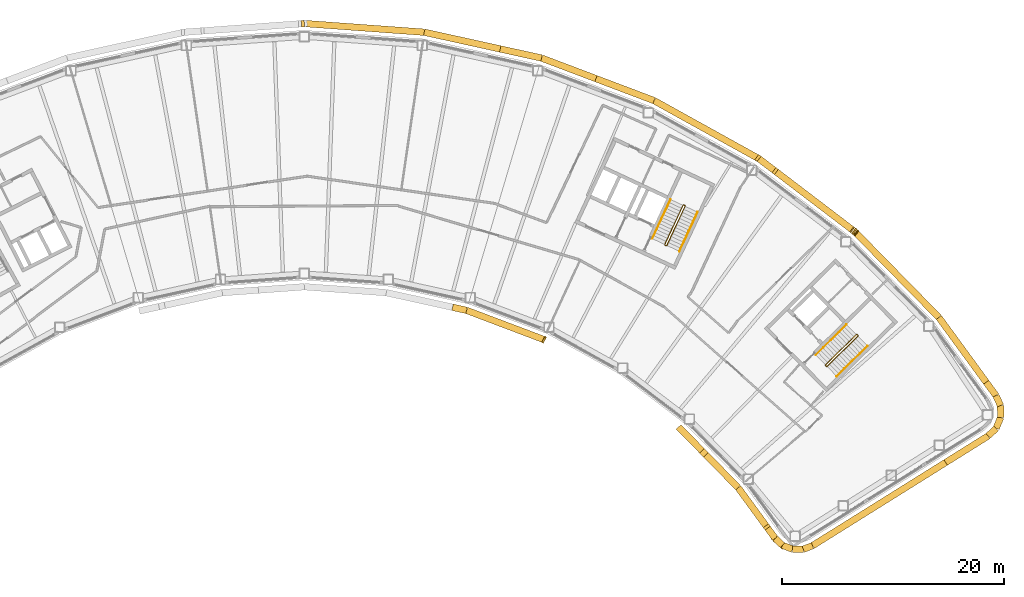
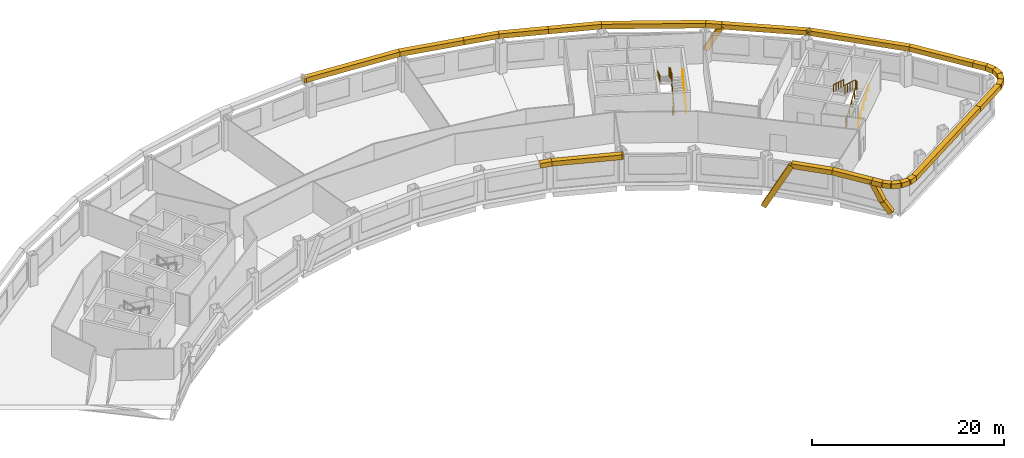
# One storey, part 12 of 12: 35 coverings, 6 railings.
"""IFC4 building model written with IfcOpenShell, lengths in metres."""

from ifc_helpers import new_model, si_unit, direction, frame, origin, origin_2d, place, context, subcontext, project, spatial, rectangle, circle, extrude, material, material_profile, profile_set, type_object, element, save


model = new_model("IFC4")

# Units and contexts
model_context = context("Model", 3, precision=1e-05, world=origin(), true_north=direction((0.0, 1.0)))
body_context = subcontext(model_context, "Body", "Model", "MODEL_VIEW")
ifc_project = project(units=[si_unit("LENGTHUNIT", "METRE"), si_unit("AREAUNIT", "SQUARE_METRE"), si_unit("VOLUMEUNIT", "CUBIC_METRE"), si_unit("PLANEANGLEUNIT", "RADIAN"), si_unit("MASSUNIT", "GRAM", prefix="KILO")], contexts=[model_context])

# Site, building, storey
site_placement = place(None, origin())
site = spatial("IfcSite", under=ifc_project, at=site_placement, CompositionType="ELEMENT")
building_placement = place(site_placement, origin())
building = spatial("IfcBuilding", under=site, at=building_placement, Name="Tuul Gate Civic Tower", CompositionType="ELEMENT")
storey_placement = place(building_placement, frame((0.0, 0.0, 176.300048828125)))
storey = spatial("IfcBuildingStorey", under=building, at=storey_placement, Name="Level 40", CompositionType="ELEMENT", Elevation=176.300048828125)

# Railings
ifc_material_1 = material(Name="Painted steel", Category="steel")
railing_type_1 = type_object("IfcRailingType", Name="Stair guard", PredefinedType="GUARDRAIL", material=ifc_material_1)
railing_1_placement = place(storey_placement, frame((48.10546875, -16.134765625, 0.0)))
element("IfcRailing", 1, at=railing_1_placement, inside=storey, type_object=railing_type_1, Name="Level 40 ST-3 stair guard 1", PredefinedType="GUARDRAIL", context=body_context, shape_type="SweptSolid", body=[
    extrude(circle(Radius=0.02392578125, at=origin_2d()), frame((0.0, 0.0, 1.076171875), z_axis=(-0.698506948293, 0.715603272202, 0.0), x_axis=(-0.715603272202, -0.698506948293, 0.0)), (0.0, 0.0, 1.0), 0.099853515625),
    extrude(circle(Radius=0.02392578125, at=origin_2d()), frame((-0.06982421875, 0.071533203125, 1.076171875), z_axis=(0.645446321009, -0.331687692741, 0.688027849131), x_axis=(0.457068866502, 0.889431307788, 0.0)), (0.0, 0.0, 1.0), 0.2177734375),
    extrude(circle(Radius=0.02392578125, at=origin_2d()), frame((0.07080078125, -0.000732421875, 1.22607421875), z_axis=(0.638731261263, 0.626133563701, 0.447190268558), x_axis=(-0.700029477518, 0.714113947914, 0.0)), (0.0, 0.0, 1.0), 4.3603515625),
    extrude(circle(Radius=0.02392578125, at=origin_2d()), frame((2.85595703125, 2.7294921875, 3.17578125), z_axis=(0.010380063588, 0.999946125689, 0.0), x_axis=(-0.999946125689, 0.010380063588, 0.0)), (0.0, 0.0, 1.0), 0.070556640625),
    extrude(circle(Radius=0.02392578125, at=origin_2d()), frame((2.856689453125, 2.800048828125, 3.17578125), z_axis=(-0.699754442181, 0.714383454909, 0.0), x_axis=(-0.714383454909, -0.699754442181, 0.0)), (0.0, 0.0, 1.0), 0.10009765625),
    extrude(circle(Radius=0.02392578125, at=origin_2d()), frame((2.78662109375, 2.87158203125, 3.17578125), z_axis=(-0.426501027327, 0.004412079593, 0.904476316574), x_axis=(-0.010344274102, -0.999946496565, 0.0)), (0.0, 0.0, 1.0), 0.166015625),
    extrude(circle(Radius=0.02392578125, at=origin_2d()), frame((2.7158203125, 2.872314453125, 3.326171875), z_axis=(-0.638731261263, -0.626133563701, 0.447190268558), x_axis=(0.700029477518, -0.714113947914, 0.0)), (0.0, 0.0, 1.0), 4.3603515625),
    extrude(circle(Radius=0.02099609375, at=origin_2d()), origin(), (0.0, 0.0, 1.0), 1.052001953125),
    extrude(circle(Radius=0.02099609375, at=origin_2d()), frame((-0.06982421875, 0.071533203125, 0.0)), (0.0, 0.0, 1.0), 1.052001953125),
    extrude(circle(Radius=0.02099609375, at=origin_2d()), frame((0.07080078125, -0.000732421875, 0.14990234375)), (0.0, 0.0, 1.0), 1.052001953125),
    extrude(circle(Radius=0.02099609375, at=origin_2d()), frame((0.76708984375, 0.681884765625, 0.637451171875)), (0.0, 0.0, 1.0), 1.052001953125),
    extrude(circle(Radius=0.02099609375, at=origin_2d()), frame((1.46337890625, 1.3642578125, 1.125)), (0.0, 0.0, 1.0), 1.052001953125),
    extrude(circle(Radius=0.02099609375, at=origin_2d()), frame((2.15966796875, 2.046875, 1.6123046875)), (0.0, 0.0, 1.0), 1.052001953125),
    extrude(circle(Radius=0.02099609375, at=origin_2d()), frame((2.85595703125, 2.7294921875, 2.099853515625)), (0.0, 0.0, 1.0), 1.052001953125),
    extrude(circle(Radius=0.02099609375, at=origin_2d()), frame((2.856689453125, 2.800048828125, 2.099853515625)), (0.0, 0.0, 1.0), 1.052001953125),
    extrude(circle(Radius=0.02099609375, at=origin_2d()), frame((2.78662109375, 2.87158203125, 2.099853515625)), (0.0, 0.0, 1.0), 1.052001953125),
    extrude(circle(Radius=0.02099609375, at=origin_2d()), frame((2.7158203125, 2.872314453125, 2.25)), (0.0, 0.0, 1.0), 1.052001953125),
    extrude(circle(Radius=0.02099609375, at=origin_2d()), frame((2.01953125, 2.189697265625, 2.737548828125)), (0.0, 0.0, 1.0), 1.052001953125),
    extrude(circle(Radius=0.02099609375, at=origin_2d()), frame((1.3232421875, 1.50732421875, 3.22509765625)), (0.0, 0.0, 1.0), 1.052001953125),
    extrude(circle(Radius=0.02099609375, at=origin_2d()), frame((0.626953125, 0.82470703125, 3.71240234375)), (0.0, 0.0, 1.0), 1.052001953125),
    extrude(circle(Radius=0.02099609375, at=origin_2d()), frame((-0.0693359375, 0.14208984375, 4.199951171875)), (0.0, 0.0, 1.0), 1.052001953125),
])
railing_2_placement = place(storey_placement, frame((33.645751953125, -5.238525390625, 0.0)))
element("IfcRailing", 2, at=railing_2_placement, inside=storey, type_object=railing_type_1, Name="Level 40 ST-4 stair guard 1", PredefinedType="GUARDRAIL", context=body_context, shape_type="SweptSolid", body=[
    extrude(circle(Radius=0.02392578125, at=origin_2d()), frame((0.0, 0.0, 1.076171875), z_axis=(-0.906307919131, 0.422617978463, 0.0), x_axis=(-0.422617978463, -0.906307919131, 0.0)), (0.0, 0.0, 1.0), 0.099853515625),
    extrude(circle(Radius=0.02392578125, at=origin_2d()), frame((-0.090576171875, 0.042236328125, 1.076171875), z_axis=(0.720735628292, -0.082946246491, 0.688229666829), x_axis=(0.114330889033, 0.993442724979, 0.0)), (0.0, 0.0, 1.0), 0.2177734375),
    extrude(circle(Radius=0.02392578125, at=origin_2d()), frame((0.06640625, 0.024169921875, 1.22607421875), z_axis=(0.377946903738, 0.810654114417, 0.447209173356), x_axis=(-0.906336612539, 0.422556439746, 0.0)), (0.0, 0.0, 1.0), 4.3603515625),
    extrude(circle(Radius=0.02392578125, at=origin_2d()), frame((1.71435546875, 3.558837890625, 3.17578125), z_axis=(-0.342020437038, 0.939692513883, 0.0), x_axis=(-0.939692513883, -0.342020437038, 0.0)), (0.0, 0.0, 1.0), 0.070556640625),
    extrude(circle(Radius=0.02392578125, at=origin_2d()), frame((1.690185546875, 3.625244140625, 3.17578125), z_axis=(-0.906307919131, 0.422617978463, 0.0), x_axis=(-0.422617978463, -0.906307919131, 0.0)), (0.0, 0.0, 1.0), 0.099853515625),
    extrude(circle(Radius=0.02392578125, at=origin_2d()), frame((1.599609375, 3.66748046875, 3.17578125), z_axis=(-0.400168791901, -0.145649670582, 0.904793408159), x_axis=(0.342020437038, -0.939692513883, 0.0)), (0.0, 0.0, 1.0), 0.166015625),
    extrude(circle(Radius=0.02392578125, at=origin_2d()), frame((1.533203125, 3.643310546875, 3.326171875), z_axis=(-0.377946903738, -0.810654114417, 0.447209173356), x_axis=(0.906336612539, -0.422556439746, 0.0)), (0.0, 0.0, 1.0), 4.3603515625),
    extrude(circle(Radius=0.02099609375, at=origin_2d()), origin(), (0.0, 0.0, 1.0), 1.052001953125),
    extrude(circle(Radius=0.02099609375, at=origin_2d()), frame((-0.090576171875, 0.042236328125, 0.0)), (0.0, 0.0, 1.0), 1.052001953125),
    extrude(circle(Radius=0.02099609375, at=origin_2d()), frame((0.06640625, 0.024169921875, 0.14990234375)), (0.0, 0.0, 1.0), 1.052001953125),
    extrude(circle(Radius=0.02099609375, at=origin_2d()), frame((0.478515625, 0.90771484375, 0.637451171875)), (0.0, 0.0, 1.0), 1.052001953125),
    extrude(circle(Radius=0.02099609375, at=origin_2d()), frame((0.890380859375, 1.79150390625, 1.125)), (0.0, 0.0, 1.0), 1.052001953125),
    extrude(circle(Radius=0.02099609375, at=origin_2d()), frame((1.30224609375, 2.67529296875, 1.6123046875)), (0.0, 0.0, 1.0), 1.052001953125),
    extrude(circle(Radius=0.02099609375, at=origin_2d()), frame((1.71435546875, 3.558837890625, 2.099853515625)), (0.0, 0.0, 1.0), 1.052001953125),
    extrude(circle(Radius=0.02099609375, at=origin_2d()), frame((1.690185546875, 3.625244140625, 2.099853515625)), (0.0, 0.0, 1.0), 1.052001953125),
    extrude(circle(Radius=0.02099609375, at=origin_2d()), frame((1.599609375, 3.66748046875, 2.099853515625)), (0.0, 0.0, 1.0), 1.052001953125),
    extrude(circle(Radius=0.02099609375, at=origin_2d()), frame((1.533203125, 3.643310546875, 2.25)), (0.0, 0.0, 1.0), 1.052001953125),
    extrude(circle(Radius=0.02099609375, at=origin_2d()), frame((1.12109375, 2.759765625, 2.737548828125)), (0.0, 0.0, 1.0), 1.052001953125),
    extrude(circle(Radius=0.02099609375, at=origin_2d()), frame((0.709228515625, 1.8759765625, 3.22509765625)), (0.0, 0.0, 1.0), 1.052001953125),
    extrude(circle(Radius=0.02099609375, at=origin_2d()), frame((0.29736328125, 0.9921875, 3.71240234375)), (0.0, 0.0, 1.0), 1.052001953125),
    extrude(circle(Radius=0.02099609375, at=origin_2d()), frame((-0.11474609375, 0.108642578125, 4.199951171875)), (0.0, 0.0, 1.0), 1.052001953125),
])
ifc_material_2 = material(Name="Painted steel", Category="steel")
railing_type_2 = type_object("IfcRailingType", Name="Stair handrail", PredefinedType="HANDRAIL", material=ifc_material_2)
railing_3_placement = place(storey_placement, frame((49.05126953125, -17.028076171875, 0.14990234375)))
element("IfcRailing", 3, at=railing_3_placement, inside=storey, type_object=railing_type_2, Name="Level 40 ST-3 stair handrail 1", PredefinedType="HANDRAIL", context=body_context, shape_type="SweptSolid", body=[
    extrude(circle(Radius=0.02392578125, at=origin_2d()), frame((0.0, 0.0, 0.8759765625), z_axis=(0.638753653487, 0.626099522554, 0.447205945863), x_axis=(-0.699997553204, 0.714145241186, 0.0)), (0.0, 0.0, 1.0), 4.3603515625),
    extrude(circle(Radius=0.02099609375, at=origin_2d()), origin(), (0.0, 0.0, 1.0), 0.851806640625),
    extrude(circle(Radius=0.02099609375, at=origin_2d()), frame((0.6962890625, 0.6826171875, 0.487548828125)), (0.0, 0.0, 1.0), 0.851806640625),
    extrude(circle(Radius=0.02099609375, at=origin_2d()), frame((1.392578125, 1.364990234375, 0.97509765625)), (0.0, 0.0, 1.0), 0.851806640625),
    extrude(circle(Radius=0.02099609375, at=origin_2d()), frame((2.0888671875, 2.04736328125, 1.46240234375)), (0.0, 0.0, 1.0), 0.851806640625),
    extrude(circle(Radius=0.02099609375, at=origin_2d()), frame((2.78515625, 2.72998046875, 1.949951171875)), (0.0, 0.0, 1.0), 0.851806640625),
])
railing_4_placement = place(storey_placement, frame((49.9462890625, -12.369873046875, 2.25)))
element("IfcRailing", 4, at=railing_4_placement, inside=storey, type_object=railing_type_2, Name="Level 40 ST-3 stair handrail 2", PredefinedType="HANDRAIL", context=body_context, shape_type="SweptSolid", body=[
    extrude(circle(Radius=0.02392578125, at=origin_2d()), frame((0.0, 0.0, 0.8759765625), z_axis=(-0.638753653487, -0.626099522554, 0.447205945863), x_axis=(0.699997553204, -0.714145241186, 0.0)), (0.0, 0.0, 1.0), 4.3603515625),
    extrude(circle(Radius=0.02099609375, at=origin_2d()), origin(), (0.0, 0.0, 1.0), 0.851806640625),
    extrude(circle(Radius=0.02099609375, at=origin_2d()), frame((-0.6962890625, -0.6826171875, 0.487548828125)), (0.0, 0.0, 1.0), 0.851806640625),
    extrude(circle(Radius=0.02099609375, at=origin_2d()), frame((-1.392578125, -1.364990234375, 0.97509765625)), (0.0, 0.0, 1.0), 0.851806640625),
    extrude(circle(Radius=0.02099609375, at=origin_2d()), frame((-2.0888671875, -2.04736328125, 1.46240234375)), (0.0, 0.0, 1.0), 0.851806640625),
    extrude(circle(Radius=0.02099609375, at=origin_2d()), frame((-2.78515625, -2.72998046875, 1.949951171875)), (0.0, 0.0, 1.0), 0.851806640625),
])
railing_5_placement = place(storey_placement, frame((34.844970703125, -5.74267578125, 0.14990234375)))
element("IfcRailing", 5, at=railing_5_placement, inside=storey, type_object=railing_type_2, Name="Level 40 ST-4 stair handrail 1", PredefinedType="HANDRAIL", context=body_context, shape_type="SweptSolid", body=[
    extrude(circle(Radius=0.02392578125, at=origin_2d()), frame((0.0, 0.0, 0.8759765625), z_axis=(0.377994896215, 0.810636958585, 0.447199709091), x_axis=(-0.906312636903, 0.422607861012, 0.0)), (0.0, 0.0, 1.0), 4.3603515625),
    extrude(circle(Radius=0.02099609375, at=origin_2d()), origin(), (0.0, 0.0, 1.0), 0.851806640625),
    extrude(circle(Radius=0.02099609375, at=origin_2d()), frame((0.412109375, 0.8837890625, 0.487548828125)), (0.0, 0.0, 1.0), 0.851806640625),
    extrude(circle(Radius=0.02099609375, at=origin_2d()), frame((0.82421875, 1.767333984375, 0.97509765625)), (0.0, 0.0, 1.0), 0.851806640625),
    extrude(circle(Radius=0.02099609375, at=origin_2d()), frame((1.236083984375, 2.65087890625, 1.46240234375)), (0.0, 0.0, 1.0), 0.851806640625),
    extrude(circle(Radius=0.02099609375, at=origin_2d()), frame((1.648193359375, 3.53466796875, 1.949951171875)), (0.0, 0.0, 1.0), 0.851806640625),
])
railing_6_placement = place(storey_placement, frame((34.046142578125, -1.06689453125, 2.25)))
element("IfcRailing", 6, at=railing_6_placement, inside=storey, type_object=railing_type_2, Name="Level 40 ST-4 stair handrail 2", PredefinedType="HANDRAIL", context=body_context, shape_type="SweptSolid", body=[
    extrude(circle(Radius=0.02392578125, at=origin_2d()), frame((0.0, 0.0, 0.8759765625), z_axis=(-0.377994896215, -0.810636958585, 0.447199709091), x_axis=(0.906312636903, -0.422607861012, 0.0)), (0.0, 0.0, 1.0), 4.3603515625),
    extrude(circle(Radius=0.02099609375, at=origin_2d()), origin(), (0.0, 0.0, 1.0), 0.851806640625),
    extrude(circle(Radius=0.02099609375, at=origin_2d()), frame((-0.412109375, -0.8837890625, 0.487548828125)), (0.0, 0.0, 1.0), 0.851806640625),
    extrude(circle(Radius=0.02099609375, at=origin_2d()), frame((-0.82421875, -1.767333984375, 0.97509765625)), (0.0, 0.0, 1.0), 0.851806640625),
    extrude(circle(Radius=0.02099609375, at=origin_2d()), frame((-1.236083984375, -2.65087890625, 1.46240234375)), (0.0, 0.0, 1.0), 0.851806640625),
    extrude(circle(Radius=0.02099609375, at=origin_2d()), frame((-1.648193359375, -3.53466796875, 1.949951171875)), (0.0, 0.0, 1.0), 0.851806640625),
])

# Coverings
ifc_material_3 = material(Name="Terracotta baguette", Category="masonry")
ifc_material_profile = material_profile(ifc_material_3, rectangle(XDim=0.60009765625, YDim=0.60009765625, at=origin_2d()), Name="Terracotta baguette screen frame")
ifc_profile_set = profile_set([ifc_material_profile], Name="Terracotta baguette")
covering_type = type_object("IfcCoveringType", Name="Terracotta baguette screen frame", PredefinedType="CLADDING", material=ifc_profile_set)
covering_1_placement = place(storey_placement, frame((58.89111328125, -24.809814453125, 3.849853515625), z_axis=(0.848058898511, 0.529901976461, 0.0), x_axis=(-0.529901976461, 0.848058898511, 0.0)))
element("IfcCovering", 7, at=covering_1_placement, inside=storey, type_object=covering_type, Name="Baguette 4", PredefinedType="CLADDING", context=body_context, shape_type="SweptSolid", body=[
    extrude(rectangle(XDim=0.60009765625, YDim=0.60009765625, at=origin_2d()), origin(), (0.0, 0.0, 1.0), 4.526611328125),
])
covering_2_placement = place(storey_placement, frame((62.72998046875, -22.4111328125, 3.849853515625), z_axis=(0.722137314744, 0.691749737011, 0.0), x_axis=(-0.691749737011, 0.722137314744, 0.0)))
element("IfcCovering", 8, at=covering_2_placement, inside=storey, type_object=covering_type, Name="Baguette 5", PredefinedType="CLADDING", context=body_context, shape_type="SweptSolid", body=[
    extrude(rectangle(XDim=0.60009765625, YDim=0.60009765625, at=origin_2d()), origin(), (0.0, 0.0, 1.0), 0.98828125),
])
covering_3_placement = place(storey_placement, frame((63.443603515625, -21.7275390625, 3.849853515625), z_axis=(0.385784883999, 0.922588761734, 0.0), x_axis=(-0.922588761734, 0.385784883999, 0.0)))
element("IfcCovering", 9, at=covering_3_placement, inside=storey, type_object=covering_type, Name="Baguette 6", PredefinedType="CLADDING", context=body_context, shape_type="SweptSolid", body=[
    extrude(rectangle(XDim=0.60009765625, YDim=0.60009765625, at=origin_2d()), origin(), (0.0, 0.0, 1.0), 1.06689453125),
])
covering_4_placement = place(storey_placement, frame((63.855224609375, -20.7431640625, 3.849853515625), z_axis=(-0.014633694716, 0.999892921757, 0.0), x_axis=(-0.999892921757, -0.014633694716, 0.0)))
element("IfcCovering", 10, at=covering_4_placement, inside=storey, type_object=covering_type, Name="Baguette 7", PredefinedType="CLADDING", context=body_context, shape_type="SweptSolid", body=[
    extrude(rectangle(XDim=0.60009765625, YDim=0.60009765625, at=origin_2d()), origin(), (0.0, 0.0, 1.0), 1.067626953125),
])
covering_5_placement = place(storey_placement, frame((63.839599609375, -19.675537109375, 3.849853515625), z_axis=(-0.413393330634, 0.910552554325, 0.0), x_axis=(-0.910552554325, -0.413393330634, 0.0)))
element("IfcCovering", 11, at=covering_5_placement, inside=storey, type_object=covering_type, Name="Baguette 8", PredefinedType="CLADDING", context=body_context, shape_type="SweptSolid", body=[
    extrude(rectangle(XDim=0.60009765625, YDim=0.60009765625, at=origin_2d()), origin(), (0.0, 0.0, 1.0), 0.988037109375),
])
covering_6_placement = place(storey_placement, frame((63.43115234375, -18.77587890625, 3.849853515625), z_axis=(-0.589811807799, 0.807540730478, 0.0), x_axis=(-0.807540730478, -0.589811807799, 0.0)))
element("IfcCovering", 12, at=covering_6_placement, inside=storey, type_object=covering_type, Name="Baguette 9", PredefinedType="CLADDING", context=body_context, shape_type="SweptSolid", body=[
    extrude(rectangle(XDim=0.60009765625, YDim=0.60009765625, at=origin_2d()), origin(), (0.0, 0.0, 1.0), 1.49462890625),
])
covering_7_placement = place(storey_placement, frame((50.68359375, -3.97314453125, 4.017578125), z_axis=(-0.377826807686, 0.288172988913, -0.879888192815), x_axis=(-0.606449175924, -0.795122252878, 0.0)))
element("IfcCovering", 13, at=covering_7_placement, inside=storey, type_object=covering_type, Name="Baguette 28", PredefinedType="CLADDING", context=body_context, shape_type="SweptSolid", body=[
    extrude(rectangle(XDim=0.60009765625, YDim=0.60009765625, at=origin_2d()), origin(), (0.0, 0.0, 1.0), 0.190673828125),
])
covering_8_placement = place(storey_placement, frame((50.611572265625, -3.918212890625, 3.849853515625), z_axis=(0.378253003492, -0.288498053511, -0.879598509815), x_axis=(0.606449175924, 0.795122252878, 0.0)))
element("IfcCovering", 14, at=covering_8_placement, inside=storey, type_object=covering_type, Name="Baguette 31", PredefinedType="CLADDING", context=body_context, shape_type="SweptSolid", body=[
    extrude(rectangle(XDim=0.60009765625, YDim=0.60009765625, at=origin_2d()), origin(), (0.0, 0.0, 1.0), 0.1904296875),
])
covering_9_placement = place(storey_placement, frame((50.611572265625, -3.918212890625, 3.849853515625), z_axis=(-0.795619472346, 0.605796711136, 0.0), x_axis=(-0.605796711136, -0.795619472346, 0.0)))
element("IfcCovering", 15, at=covering_9_placement, inside=storey, type_object=covering_type, Name="Baguette 33", PredefinedType="CLADDING", context=body_context, shape_type="SweptSolid", body=[
    extrude(rectangle(XDim=0.60009765625, YDim=0.60009765625, at=origin_2d()), origin(), (0.0, 0.0, 1.0), 9.072509765625),
])
covering_10_placement = place(storey_placement, frame((43.393310546875, 1.577880859375, 3.849853515625), z_axis=(-0.378068215842, 0.28784582991, -0.879891585579), x_axis=(-0.605768691074, -0.795640806467, 0.0)))
element("IfcCovering", 16, at=covering_10_placement, inside=storey, type_object=covering_type, Name="Baguette 37", PredefinedType="CLADDING", context=body_context, shape_type="SweptSolid", body=[
    extrude(rectangle(XDim=0.60009765625, YDim=0.60009765625, at=origin_2d()), origin(), (0.0, 0.0, 1.0), 3.552978515625),
])
covering_11_placement = place(storey_placement, frame((27.31640625, 9.843994140625, 3.849853515625), z_axis=(-0.935348272672, 0.353728156654, 0.0), x_axis=(-0.353728156654, -0.935348272672, 0.0)))
element("IfcCovering", 17, at=covering_11_placement, inside=storey, type_object=covering_type, Name="Baguette 54", PredefinedType="CLADDING", context=body_context, shape_type="SweptSolid", body=[
    extrude(rectangle(XDim=0.60009765625, YDim=0.60009765625, at=origin_2d()), origin(), (0.0, 0.0, 1.0), 5.24609375),
])
covering_12_placement = place(storey_placement, frame((22.409423828125, 11.69970703125, 3.849853515625), z_axis=(-0.976565402769, 0.215220849627, 0.0), x_axis=(-0.215220849627, -0.976565402769, 0.0)))
element("IfcCovering", 18, at=covering_12_placement, inside=storey, type_object=covering_type, Name="Baguette 55", PredefinedType="CLADDING", context=body_context, shape_type="SweptSolid", body=[
    extrude(rectangle(XDim=0.60009765625, YDim=0.60009765625, at=origin_2d()), origin(), (0.0, 0.0, 1.0), 3.826171875),
])
covering_13_placement = place(storey_placement, frame((14.36767578125, -10.796875, 3.849853515625), z_axis=(0.976558162371, -0.215253700333, 0.0), x_axis=(0.215253700333, 0.976558162371, 0.0)))
element("IfcCovering", 19, at=covering_13_placement, inside=storey, type_object=covering_type, Name="Baguette 229", PredefinedType="CLADDING", context=body_context, shape_type="SweptSolid", body=[
    extrude(rectangle(XDim=0.60009765625, YDim=0.60009765625, at=origin_2d()), origin(), (0.0, 0.0, 1.0), 1.295166015625),
])
covering_14_placement = place(storey_placement, frame((15.632568359375, -11.07568359375, 3.849853515625), z_axis=(0.935363965038, -0.353686659217, 0.0), x_axis=(0.353686659217, 0.935363965038, 0.0)))
element("IfcCovering", 20, at=covering_14_placement, inside=storey, type_object=covering_type, Name="Baguette 230", PredefinedType="CLADDING", context=body_context, shape_type="SweptSolid", body=[
    extrude(rectangle(XDim=0.60009765625, YDim=0.60009765625, at=origin_2d()), origin(), (0.0, 0.0, 1.0), 7.417724609375),
])
covering_15_placement = place(storey_placement, frame((22.57080078125, -13.69921875, 3.849853515625), z_axis=(0.874653893633, -0.48474794105, 0.0), x_axis=(0.48474794105, 0.874653893633, 0.0)))
element("IfcCovering", 21, at=covering_15_placement, inside=storey, type_object=covering_type, Name="Baguette 231", PredefinedType="CLADDING", context=body_context, shape_type="SweptSolid", body=[
    extrude(rectangle(XDim=0.60009765625, YDim=0.60009765625, at=origin_2d()), origin(), (0.0, 0.0, 1.0), 0.138916015625),
])
covering_16_placement = place(storey_placement, frame((37.0654296875, -23.936767578125, 3.849853515625), z_axis=(-0.326354421299, 0.332864855127, -0.884699824754), x_axis=(-0.714055329058, -0.700089270768, 0.0)))
element("IfcCovering", 22, at=covering_16_placement, inside=storey, type_object=covering_type, Name="Baguette 250", PredefinedType="CLADDING", context=body_context, shape_type="SweptSolid", body=[
    extrude(rectangle(XDim=0.60009765625, YDim=0.60009765625, at=origin_2d()), origin(), (0.0, 0.0, 1.0), 6.449951171875),
])
covering_17_placement = place(storey_placement, frame((37.0654296875, -23.936767578125, 3.849853515625), z_axis=(0.700097974416, -0.714046795538, 0.0), x_axis=(0.714046795538, 0.700097974416, 0.0)))
element("IfcCovering", 23, at=covering_17_placement, inside=storey, type_object=covering_type, Name="Baguette 252", PredefinedType="CLADDING", context=body_context, shape_type="SweptSolid", body=[
    extrude(rectangle(XDim=0.60009765625, YDim=0.60009765625, at=origin_2d()), origin(), (0.0, 0.0, 1.0), 4.41064453125),
])
covering_18_placement = place(storey_placement, frame((40.1533203125, -27.086181640625, 3.849853515625), z_axis=(0.589760566258, -0.807578153795, 0.0), x_axis=(0.807578153795, 0.589760566258, 0.0)))
element("IfcCovering", 24, at=covering_18_placement, inside=storey, type_object=covering_type, Name="Baguette 253", PredefinedType="CLADDING", context=body_context, shape_type="SweptSolid", body=[
    extrude(rectangle(XDim=0.60009765625, YDim=0.60009765625, at=origin_2d()), origin(), (0.0, 0.0, 1.0), 4.519287109375),
])
covering_19_placement = place(storey_placement, frame((42.818603515625, -30.73583984375, 3.849853515625), z_axis=(0.278589118083, -0.381633044218, -0.881330995056), x_axis=(0.807690018687, 0.589607355546, 0.0)))
element("IfcCovering", 25, at=covering_19_placement, inside=storey, type_object=covering_type, Name="Baguette 258", PredefinedType="CLADDING", context=body_context, shape_type="SweptSolid", body=[
    extrude(rectangle(XDim=0.60009765625, YDim=0.60009765625, at=origin_2d()), origin(), (0.0, 0.0, 1.0), 2.43798828125),
])
covering_20_placement = place(storey_placement, frame((43.497802734375, -31.666259765625, 1.701171875), z_axis=(0.418465914546, -0.391768534241, -0.819392271102), x_axis=(0.683436569223, 0.730009901199, 0.0)))
element("IfcCovering", 26, at=covering_20_placement, inside=storey, type_object=covering_type, Name="Baguette 259", PredefinedType="CLADDING", context=body_context, shape_type="SweptSolid", body=[
    extrude(rectangle(XDim=0.60009765625, YDim=0.60009765625, at=origin_2d()), origin(), (0.0, 0.0, 1.0), 1.572998046875),
])
covering_21_placement = place(storey_placement, frame((62.549560546875, -17.56884765625, 3.849853515625), z_axis=(-0.58975447594, 0.807582601416, 0.0), x_axis=(-0.807582601416, -0.58975447594, 0.0)))
element("IfcCovering", 27, at=covering_21_placement, inside=storey, type_object=covering_type, Name="Baguette 285", PredefinedType="CLADDING", context=body_context, shape_type="SweptSolid", body=[
    extrude(rectangle(XDim=0.60009765625, YDim=0.60009765625, at=origin_2d()), origin(), (0.0, 0.0, 1.0), 7.240234375),
])
covering_22_placement = place(storey_placement, frame((58.279541015625, -11.7216796875, 3.849853515625), z_axis=(-0.700040591401, 0.714103053061, 0.0), x_axis=(-0.714103053061, -0.700040591401, 0.0)))
element("IfcCovering", 28, at=covering_22_placement, inside=storey, type_object=covering_type, Name="Baguette 286", PredefinedType="CLADDING", context=body_context, shape_type="SweptSolid", body=[
    extrude(rectangle(XDim=0.60009765625, YDim=0.60009765625, at=origin_2d()), origin(), (0.0, 0.0, 1.0), 10.850830078125),
])
covering_23_placement = place(storey_placement, frame((50.68359375, -3.97314453125, 3.849853515625), z_axis=(-0.795122252878, 0.606449175924, 0.0), x_axis=(-0.606449175924, -0.795122252878, 0.0)))
element("IfcCovering", 29, at=covering_23_placement, inside=storey, type_object=covering_type, Name="Baguette 287", PredefinedType="CLADDING", context=body_context, shape_type="SweptSolid", body=[
    extrude(rectangle(XDim=0.60009765625, YDim=0.60009765625, at=origin_2d()), origin(), (0.0, 0.0, 1.0), 0.090576171875),
])
covering_24_placement = place(storey_placement, frame((43.393310546875, 1.577880859375, 3.849853515625), z_axis=(-0.795640806467, 0.605768691074, 0.0), x_axis=(-0.605768691074, -0.795640806467, 0.0)))
element("IfcCovering", 30, at=covering_24_placement, inside=storey, type_object=covering_type, Name="Baguette 288", PredefinedType="CLADDING", context=body_context, shape_type="SweptSolid", body=[
    extrude(rectangle(XDim=0.60009765625, YDim=0.60009765625, at=origin_2d()), origin(), (0.0, 0.0, 1.0), 1.688232421875),
])
covering_25_placement = place(storey_placement, frame((42.050048828125, 2.6005859375, 3.849853515625), z_axis=(-0.874626999089, 0.484796464987, 0.0), x_axis=(-0.484796464987, -0.874626999089, 0.0)))
element("IfcCovering", 31, at=covering_25_placement, inside=storey, type_object=covering_type, Name="Baguette 289", PredefinedType="CLADDING", context=body_context, shape_type="SweptSolid", body=[
    extrude(rectangle(XDim=0.60009765625, YDim=0.60009765625, at=origin_2d()), origin(), (0.0, 0.0, 1.0), 10.8515625),
])
covering_26_placement = place(storey_placement, frame((32.55908203125, 7.861328125, 3.849853515625), z_axis=(-0.935348197385, 0.353728355731, 0.0), x_axis=(-0.353728355731, -0.935348197385, 0.0)))
element("IfcCovering", 32, at=covering_26_placement, inside=storey, type_object=covering_type, Name="Baguette 290", PredefinedType="CLADDING", context=body_context, shape_type="SweptSolid", body=[
    extrude(rectangle(XDim=0.60009765625, YDim=0.60009765625, at=origin_2d()), origin(), (0.0, 0.0, 1.0), 5.60498046875),
])
covering_27_placement = place(storey_placement, frame((18.6728515625, 12.523193359375, 3.849853515625), z_axis=(-0.976564178605, 0.215226404203, 0.0), x_axis=(-0.215226404203, -0.976564178605, 0.0)))
element("IfcCovering", 33, at=covering_27_placement, inside=storey, type_object=covering_type, Name="Baguette 296", PredefinedType="CLADDING", context=body_context, shape_type="SweptSolid", body=[
    extrude(rectangle(XDim=0.60009765625, YDim=0.60009765625, at=origin_2d()), origin(), (0.0, 0.0, 1.0), 7.02490234375),
])
covering_28_placement = place(storey_placement, frame((11.8125, 14.03515625, 3.849853515625), z_axis=(-0.997386817082, 0.072246363998, 0.0), x_axis=(-0.072246363998, -0.997386817082, 0.0)))
element("IfcCovering", 34, at=covering_28_placement, inside=storey, type_object=covering_type, Name="Baguette 297", PredefinedType="CLADDING", context=body_context, shape_type="SweptSolid", body=[
    extrude(rectangle(XDim=0.60009765625, YDim=0.60009765625, at=origin_2d()), origin(), (0.0, 0.0, 1.0), 10.850830078125),
])
covering_29_placement = place(storey_placement, frame((0.989990234375, 14.819091796875, 3.849853515625), z_axis=(-0.997365816959, -0.072535695779, 0.0), x_axis=(0.072535695779, -0.997365816959, 0.0)))
element("IfcCovering", 35, at=covering_29_placement, inside=storey, type_object=covering_type, Name="Baguette 298", PredefinedType="CLADDING", context=body_context, shape_type="SweptSolid", body=[
    extrude(rectangle(XDim=0.60009765625, YDim=0.60009765625, at=origin_2d()), origin(), (0.0, 0.0, 1.0), 0.269287109375),
])
covering_30_placement = place(storey_placement, frame((42.818603515625, -30.73583984375, 3.849853515625), z_axis=(0.589607355546, -0.807690018687, 0.0), x_axis=(0.807690018687, 0.589607355546, 0.0)))
element("IfcCovering", 36, at=covering_30_placement, inside=storey, type_object=covering_type, Name="Baguette 357", PredefinedType="CLADDING", context=body_context, shape_type="SweptSolid", body=[
    extrude(rectangle(XDim=0.60009765625, YDim=0.60009765625, at=origin_2d()), origin(), (0.0, 0.0, 1.0), 1.15185546875),
])
covering_31_placement = place(storey_placement, frame((43.497802734375, -31.666259765625, 3.849853515625), z_axis=(0.730009901199, -0.683436569223, 0.0), x_axis=(0.683436569223, 0.730009901199, 0.0)))
element("IfcCovering", 37, at=covering_31_placement, inside=storey, type_object=covering_type, Name="Baguette 358", PredefinedType="CLADDING", context=body_context, shape_type="SweptSolid", body=[
    extrude(rectangle(XDim=0.60009765625, YDim=0.60009765625, at=origin_2d()), origin(), (0.0, 0.0, 1.0), 0.901611328125),
])
covering_32_placement = place(storey_placement, frame((44.156005859375, -32.282470703125, 3.849853515625), z_axis=(0.929183562745, -0.369618596292, 0.0), x_axis=(0.369618596292, 0.929183562745, 0.0)))
element("IfcCovering", 38, at=covering_32_placement, inside=storey, type_object=covering_type, Name="Baguette 359", PredefinedType="CLADDING", context=body_context, shape_type="SweptSolid", body=[
    extrude(rectangle(XDim=0.60009765625, YDim=0.60009765625, at=origin_2d()), origin(), (0.0, 0.0, 1.0), 0.974365234375),
])
covering_33_placement = place(storey_placement, frame((45.061279296875, -32.642578125, 3.849853515625), z_axis=(0.999995472909, -0.003009013459, 0.0), x_axis=(0.003009013459, 0.999995472909, 0.0)))
element("IfcCovering", 39, at=covering_33_placement, inside=storey, type_object=covering_type, Name="Baguette 360", PredefinedType="CLADDING", context=body_context, shape_type="SweptSolid", body=[
    extrude(rectangle(XDim=0.60009765625, YDim=0.60009765625, at=origin_2d()), origin(), (0.0, 0.0, 1.0), 0.9736328125),
])
covering_34_placement = place(storey_placement, frame((46.034912109375, -32.6455078125, 3.849853515625), z_axis=(0.931801188997, 0.362969067807, 0.0), x_axis=(-0.362969067807, 0.931801188997, 0.0)))
element("IfcCovering", 40, at=covering_34_placement, inside=storey, type_object=covering_type, Name="Baguette 361", PredefinedType="CLADDING", context=body_context, shape_type="SweptSolid", body=[
    extrude(rectangle(XDim=0.60009765625, YDim=0.60009765625, at=origin_2d()), origin(), (0.0, 0.0, 1.0), 0.9013671875),
])
covering_35_placement = place(storey_placement, frame((46.874755859375, -32.318359375, 3.849853515625), z_axis=(0.848051539004, 0.529913754486, 0.0), x_axis=(-0.529913754486, 0.848051539004, 0.0)))
element("IfcCovering", 41, at=covering_35_placement, inside=storey, type_object=covering_type, Name="Baguette 362", PredefinedType="CLADDING", context=body_context, shape_type="SweptSolid", body=[
    extrude(rectangle(XDim=0.60009765625, YDim=0.60009765625, at=origin_2d()), origin(), (0.0, 0.0, 1.0), 14.16943359375),
])

save(model, "model.ifc")
